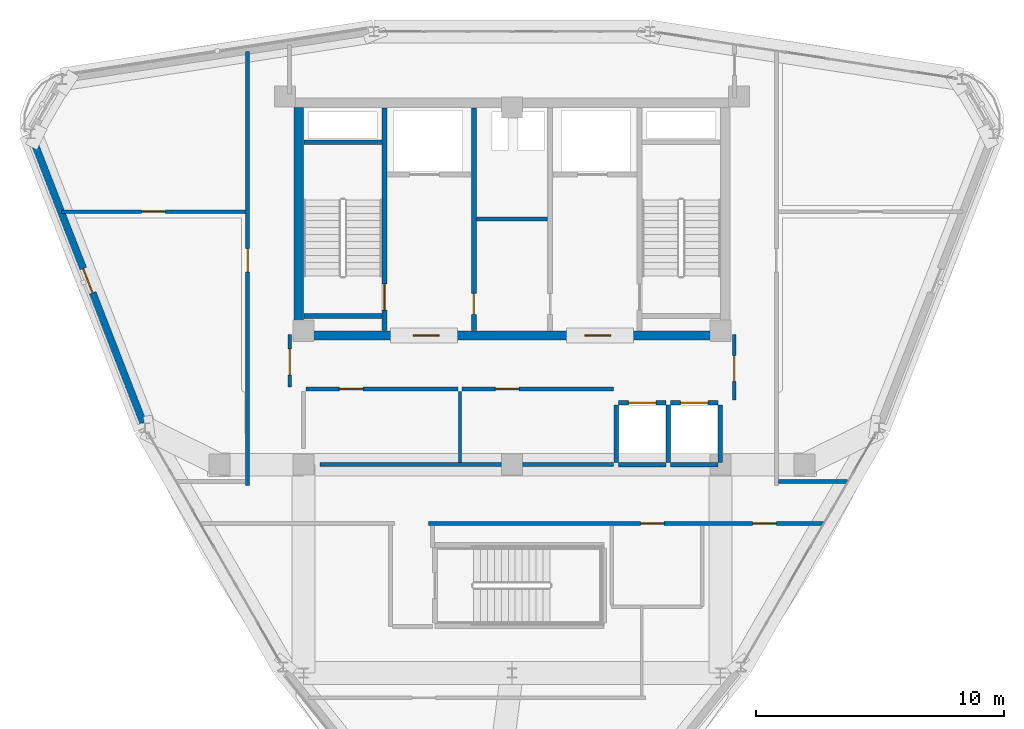
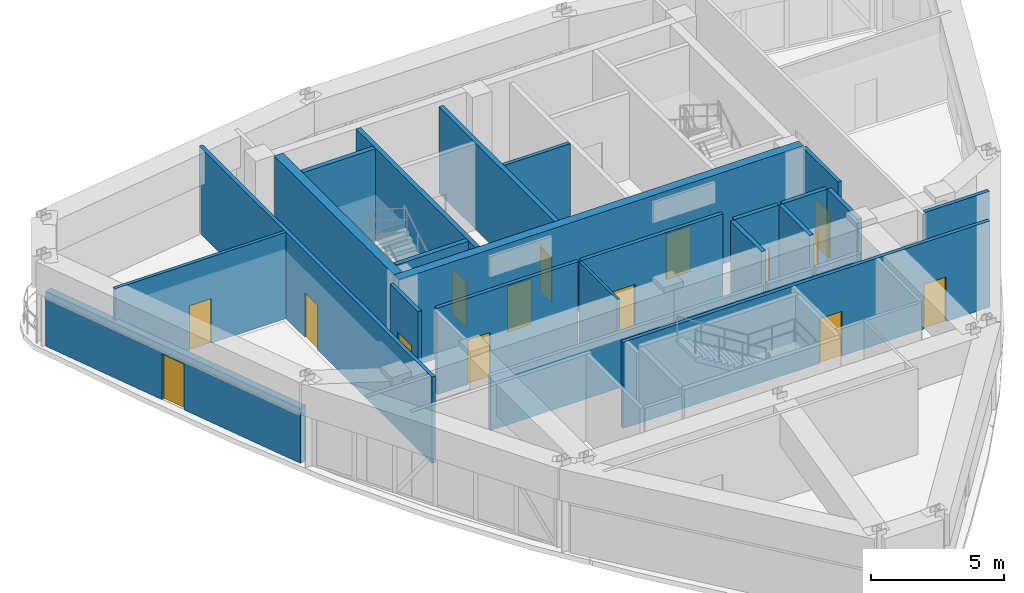
# One storey, part 13 of 17: 25 walls, 15 doors, 15 openings.
"""IFC4 building model written with IfcOpenShell, lengths in metres."""

from ifc_helpers import new_model, si_unit, derived_unit, direction, frame, frame_2d, origin, place, context, subcontext, project, spatial, rectangle, extrude, material, layer, layer_set, type_object, element, fill, save


model = new_model("IFC4")

# Units and contexts
model_context = context("Model", 3, precision=1e-05, world=origin(), true_north=direction((0.0, 1.0)))
body_context = subcontext(model_context, "Body", "Model", "MODEL_VIEW")
ifc_project = project(units=[si_unit("LENGTHUNIT", "METRE"), si_unit("AREAUNIT", "SQUARE_METRE"), si_unit("VOLUMEUNIT", "CUBIC_METRE"), si_unit("PLANEANGLEUNIT", "RADIAN"), si_unit("MASSUNIT", "GRAM", prefix="KILO"), derived_unit("THERMALTRANSMITTANCEUNIT", [(si_unit("POWERUNIT", "WATT"), 1), (si_unit("LENGTHUNIT", "METRE"), -2), (si_unit("THERMODYNAMICTEMPERATUREUNIT", "KELVIN"), -1)])], contexts=[model_context])

# Site, building, storey
site_placement = place(None, origin())
site = spatial("IfcSite", under=ifc_project, at=site_placement, CompositionType="ELEMENT")
building_placement = place(site_placement, origin())
building = spatial("IfcBuilding", under=site, at=building_placement, Name="Korsvarv Bourse and Concert Hall", CompositionType="ELEMENT")
storey_placement = place(building_placement, frame((0.0, 0.0, 279.60009765625)))
storey = spatial("IfcBuildingStorey", under=building, at=storey_placement, Name="L73", CompositionType="ELEMENT", Elevation=279.60009765625)

# Wall, openings, doors
ifc_material_1 = material(Name="Concrete C50/60", Category="concrete")
ifc_layer_1 = layer(ifc_material_1, 0.3798828125)
ifc_layer_set_1 = layer_set([ifc_layer_1], Name="Concrete C50/60")
wall_type_1 = type_object("IfcWallType", Name="WL-CORE-380", PredefinedType="SHEAR", material=ifc_layer_set_1)
wall_1_placement = place(storey_placement, frame((27.219970703125, 37.610107421875, 0.0), z_axis=(0.0, 0.0, 1.0), x_axis=(1.0, 0.0, 0.0)))
wall_1 = element("IfcWall", 1, at=wall_1_placement, inside=storey, type_object=wall_type_1, Name="L73 South Core Shear Wall", PredefinedType="SHEAR", context=body_context, shape_type="SweptSolid", body=[
    extrude(rectangle(XDim=17.56005859375, YDim=0.3798828125, at=frame_2d((8.780029296875, 0.0))), origin(), (0.0, 0.0, 1.0), 4.199951171875),
])
opening_1_placement = place(wall_1_placement, frame((4.804931640625, 0.0, 0.0)))
opening_1 = element("IfcOpeningElement", 2, at=opening_1_placement, cuts=wall_1, Name="Opening D-01", PredefinedType="OPENING", context=body_context, shape_type="SweptSolid", body=[
    extrude(rectangle(XDim=1.050048828125, YDim=2.10009765625, at=frame_2d((0.52490234375, 1.050048828125))), frame((0.0, 0.199951171875, 0.0), z_axis=(0.0, -1.0, 0.0), x_axis=(1.0, 0.0, 0.0)), (0.0, 0.0, 1.0), 0.39990234375),
])
opening_2_placement = place(wall_1_placement, frame((11.705078125, 0.0, 0.0)))
opening_2 = element("IfcOpeningElement", 3, at=opening_2_placement, cuts=wall_1, Name="Opening D-01", PredefinedType="OPENING", context=body_context, shape_type="SweptSolid", body=[
    extrude(rectangle(XDim=1.050048828125, YDim=2.10009765625, at=frame_2d((0.52490234375, 1.050048828125))), frame((0.0, 0.199951171875, 0.0), z_axis=(0.0, -1.0, 0.0), x_axis=(1.0, 0.0, 0.0)), (0.0, 0.0, 1.0), 0.39990234375),
])
ifc_material_2 = material(Name="Steel S355 fire door", Category="steel")
door_type_1 = type_object("IfcDoorType", Name="DR-FD60", OperationType="NOTDEFINED", PredefinedType="DOOR", material=ifc_material_2)
door_1_placement = place(opening_1_placement, frame((1.050048828125, 0.0, 0.0), z_axis=(0.0, 0.0, 1.0), x_axis=(-1.0, 0.0, 0.0)))
door_1 = element("IfcDoor", 4, at=door_1_placement, inside=storey, type_object=door_type_1, Name="L73 firefighting lobby fire door DR-L73-FFLW", OperationType="SINGLE_SWING_LEFT", OverallHeight=2.10009765625, OverallWidth=1.050048828125, PredefinedType="DOOR", context=body_context, shape_type="SweptSolid", body=[
    extrude(rectangle(XDim=1.050048828125, YDim=2.10009765625, at=frame_2d((0.52490234375, 1.050048828125))), frame((0.0, 0.02490234375, 0.0), z_axis=(0.0, -1.0, 0.0), x_axis=(1.0, 0.0, 0.0)), (0.0, 0.0, 1.0), 0.050048828125),
])
fill(opening_1, door_1)
door_2_placement = place(opening_2_placement, frame((1.050048828125, 0.0, 0.0), z_axis=(0.0, 0.0, 1.0), x_axis=(-1.0, 0.0, 0.0)))
door_2 = element("IfcDoor", 5, at=door_2_placement, inside=storey, type_object=door_type_1, Name="L73 firefighting lobby fire door DR-L73-FFLE", OperationType="SINGLE_SWING_RIGHT", OverallHeight=2.10009765625, OverallWidth=1.050048828125, PredefinedType="DOOR", context=body_context, shape_type="SweptSolid", body=[
    extrude(rectangle(XDim=1.050048828125, YDim=2.10009765625, at=frame_2d((0.52490234375, 1.050048828125))), frame((0.0, 0.02490234375, 0.0), z_axis=(0.0, -1.0, 0.0), x_axis=(1.0, 0.0, 0.0)), (0.0, 0.0, 1.0), 0.050048828125),
])
fill(opening_2, door_2)

# Wall
wall_2_placement = place(storey_placement, frame((27.409912109375, 37.800048828125, 0.0), z_axis=(0.0, 0.0, 1.0), x_axis=(0.0, 1.0, 0.0)))
element("IfcWall", 6, at=wall_2_placement, inside=storey, type_object=wall_type_1, Name="L73 West Core Shear Wall", PredefinedType="SHEAR", context=body_context, shape_type="SweptSolid", body=[
    extrude(rectangle(XDim=9.0, YDim=0.3798828125, at=frame_2d((4.5, 0.0))), origin(), (0.0, 0.0, 1.0), 4.199951171875),
])

# Wall, opening, door
wall_3_placement = place(storey_placement, frame((30.860107421875, 37.81005859375, 0.0), z_axis=(0.0, 0.0, 1.0), x_axis=(0.0, 1.0, 0.0)))
wall_3 = element("IfcWall", 7, at=wall_3_placement, inside=storey, type_object=wall_type_1, Name="L73 stair shaft structural wall W-L73-ST1-E", PredefinedType="SHEAR", context=body_context, shape_type="SweptSolid", body=[
    extrude(rectangle(XDim=8.97998046875, YDim=0.199951171875, at=frame_2d((4.489990234375, 0.0))), origin(), (0.0, 0.0, 1.0), 4.199951171875),
])
opening_3_placement = place(wall_3_placement, frame((0.820068359375, 0.0, 0.0)))
opening_3 = element("IfcOpeningElement", 8, at=opening_3_placement, cuts=wall_3, Name="Opening D-01", PredefinedType="OPENING", context=body_context, shape_type="SweptSolid", body=[
    extrude(rectangle(XDim=1.050048828125, YDim=2.10009765625, at=frame_2d((0.52490234375, 1.050048828125))), frame((0.0, 0.10986328125, 0.0), z_axis=(0.0, -1.0, 0.0), x_axis=(1.0, 0.0, 0.0)), (0.0, 0.0, 1.0), 0.219970703125),
])
door_3_placement = place(opening_3_placement, origin())
door_3 = element("IfcDoor", 9, at=door_3_placement, inside=storey, type_object=door_type_1, Name="L73 interior door DR-L73-ST1", OperationType="SINGLE_SWING_RIGHT", OverallHeight=2.10009765625, OverallWidth=1.050048828125, PredefinedType="DOOR", context=body_context, shape_type="SweptSolid", body=[
    extrude(rectangle(XDim=1.050048828125, YDim=2.10009765625, at=frame_2d((0.52490234375, 1.050048828125))), frame((0.0, 0.02490234375, 0.0), z_axis=(0.0, -1.0, 0.0), x_axis=(1.0, 0.0, 0.0)), (0.0, 0.0, 1.0), 0.050048828125),
])
fill(opening_3, door_3)

# Walls
for number, where, z_axis, x_axis, name in (
    (10, (27.610107421875, 45.39990234375, 0.0), (0.0, 0.0, 1.0), (1.0, 0.0, 0.0), "L73 stair shaft structural wall W-L73-ST1-N"),
    (11, (27.610107421875, 38.39990234375, 0.0), (0.0, 0.0, 1.0), (1.0, 0.0, 0.0), "L73 stair shaft structural wall W-L73-ST1-S"),
):
    element("IfcWall", number, at=place(storey_placement, frame(where, z_axis=z_axis, x_axis=x_axis)), inside=storey, type_object=wall_type_1, Name=name, PredefinedType="SHEAR", context=body_context, shape_type="SweptSolid", body=[
        extrude(rectangle(XDim=3.139892578125, YDim=0.199951171875, at=frame_2d((1.56982421875, 0.0))), origin(), (0.0, 0.0, 1.0), 4.199951171875),
    ])

# Wall, opening, door
ifc_material_3 = material(Name="Precast concrete C45/55 with terracotta rainscreen", Category="concrete")
ifc_layer_2 = layer(ifc_material_3, 0.300048828125)
ifc_layer_set_2 = layer_set([ifc_layer_2], Name="Precast concrete C45/55 with terracotta rainscreen")
wall_type_2 = type_object("IfcWallType", Name="WL-EXT-TC1", PredefinedType="SOLIDWALL", material=ifc_layer_set_2)
wall_4_placement = place(storey_placement, frame((16.673583984375, 45.536376953125, 0.0), z_axis=(0.0, 0.0, 1.0), x_axis=(0.362611301042, -0.931940472539, 0.0)))
wall_4 = element("IfcWall", 12, at=wall_4_placement, inside=storey, type_object=wall_type_2, Name="L73 terracotta exterior wall EW-L73-B06", PredefinedType="SOLIDWALL", context=body_context, shape_type="SweptSolid", body=[
    extrude(rectangle(XDim=12.278076171875, YDim=0.300048828125, at=frame_2d((6.13916015625, 0.0))), origin(), (0.0, 0.0, 1.0), 2.52001953125),
])
opening_4_placement = place(wall_4_placement, frame((5.614013671875, 0.0, 0.0)))
opening_4 = element("IfcOpeningElement", 13, at=opening_4_placement, cuts=wall_4, Name="Opening ED-02", PredefinedType="OPENING", context=body_context, shape_type="SweptSolid", body=[
    extrude(rectangle(XDim=1.050048828125, YDim=2.10009765625, at=frame_2d((0.52490234375, 1.050048828125))), frame((0.0, 0.16015625, 0.0), z_axis=(0.0, -1.0, 0.0), x_axis=(1.0, 0.0, 0.0)), (0.0, 0.0, 1.0), 0.320068359375),
])
ifc_material_4 = material(Name="Thermally broken anodised aluminium and laminated safety glass", Category="aluminium")
door_type_2 = type_object("IfcDoorType", Name="DR-EXT-TERR", OperationType="NOTDEFINED", PredefinedType="DOOR", material=ifc_material_4)
door_4_placement = place(opening_4_placement, frame((1.050048828125, 0.0, 0.0), z_axis=(0.0, 0.0, 1.0), x_axis=(-1.0, 0.0, 0.0)))
door_4 = element("IfcDoor", 14, at=door_4_placement, inside=storey, type_object=door_type_2, Name="L73 Sky Garden Terrace Access Door", OperationType="SINGLE_SWING_LEFT", OverallHeight=2.10009765625, OverallWidth=1.050048828125, PredefinedType="DOOR", context=body_context, shape_type="SweptSolid", body=[
    extrude(rectangle(XDim=1.050048828125, YDim=2.10009765625, at=frame_2d((0.52490234375, 1.050048828125))), frame((0.0, 0.02490234375, 0.0), z_axis=(0.0, -1.0, 0.0), x_axis=(1.0, 0.0, 0.0)), (0.0, 0.0, 1.0), 0.050048828125),
])
fill(opening_4, door_4)

ifc_material_5 = material(Name="Reinforced concrete blockwork C35/45 fire wall", Category="concrete")
ifc_layer_3 = layer(ifc_material_5, 0.199951171875)
ifc_layer_set_3 = layer_set([ifc_layer_3], Name="Reinforced concrete blockwork C35/45 fire wall")
wall_type_3 = type_object("IfcWallType", Name="WL-INT-EI120", PredefinedType="PARTITIONING", material=ifc_layer_set_3)
wall_5_placement = place(storey_placement, frame((34.4599609375, 37.81005859375, 0.0), z_axis=(0.0, 0.0, 1.0), x_axis=(0.0, 1.0, 0.0)))
wall_5 = element("IfcWall", 15, at=wall_5_placement, inside=storey, type_object=wall_type_3, Name="L73 interior partition wall W-L73-CSB-W", PredefinedType="PARTITIONING", context=body_context, shape_type="SweptSolid", body=[
    extrude(rectangle(XDim=8.97998046875, YDim=0.199951171875, at=frame_2d((4.489990234375, 0.0))), origin(), (0.0, 0.0, 1.0), 3.9599609375),
])
opening_5_placement = place(wall_5_placement, frame((0.64990234375, 0.0, 0.0)))
opening_5 = element("IfcOpeningElement", 16, at=opening_5_placement, cuts=wall_5, Name="Opening D-05", PredefinedType="OPENING", context=body_context, shape_type="SweptSolid", body=[
    extrude(rectangle(XDim=0.85009765625, YDim=2.050048828125, at=frame_2d((0.425048828125, 1.02490234375))), frame((0.0, 0.10986328125, 0.0), z_axis=(0.0, -1.0, 0.0), x_axis=(1.0, 0.0, 0.0)), (0.0, 0.0, 1.0), 0.219970703125),
])
door_type_3 = type_object("IfcDoorType", Name="DR-FD60-850X2050", OperationType="NOTDEFINED", PredefinedType="DOOR", material=ifc_material_2)
door_5_placement = place(opening_5_placement, frame((0.85009765625, 0.0, 0.0), z_axis=(0.0, 0.0, 1.0), x_axis=(-1.0, 0.0, 0.0)))
door_5 = element("IfcDoor", 17, at=door_5_placement, inside=storey, type_object=door_type_3, Name="L73 interior door DR-L73-CSB1", OperationType="SINGLE_SWING_RIGHT", OverallHeight=2.050048828125, OverallWidth=0.85009765625, PredefinedType="DOOR", context=body_context, shape_type="SweptSolid", body=[
    extrude(rectangle(XDim=0.85009765625, YDim=2.050048828125, at=frame_2d((0.425048828125, 1.02490234375))), frame((0.0, 0.02490234375, 0.0), z_axis=(0.0, -1.0, 0.0), x_axis=(1.0, 0.0, 0.0)), (0.0, 0.0, 1.0), 0.050048828125),
])
fill(opening_5, door_5)

# Walls
ifc_material_6 = material(Name="Double-stud fire-rated acoustic partition", Category="gypsum")
ifc_layer_4 = layer(ifc_material_6, 0.159912109375)
ifc_layer_set_4 = layer_set([ifc_layer_4], Name="Double-stud fire-rated acoustic partition")
wall_type_4 = type_object("IfcWallType", Name="WL-INT-EI60", PredefinedType="PARTITIONING", material=ifc_layer_set_4)
wall_6_placement = place(storey_placement, frame((34.570068359375, 42.300048828125, 0.0), z_axis=(0.0, 0.0, 1.0), x_axis=(1.0, 0.0, 0.0)))
element("IfcWall", 18, at=wall_6_placement, inside=storey, type_object=wall_type_4, Name="L73 interior partition wall W-L73-K1", PredefinedType="PARTITIONING", context=body_context, shape_type="SweptSolid", body=[
    extrude(rectangle(XDim=2.85986328125, YDim=0.159912109375, at=frame_2d((1.429931640625, 0.0))), origin(), (0.0, 0.0, 1.0), 3.9599609375),
])
wall_7_placement = place(storey_placement, frame((28.25, 32.39990234375, 0.0), z_axis=(0.0, 0.0, 1.0), x_axis=(1.0, 0.0, 0.0)))
element("IfcWall", 19, at=wall_7_placement, inside=storey, type_object=wall_type_4, Name="L73 interior partition wall W-L73-FRD-S", PredefinedType="PARTITIONING", context=body_context, shape_type="SweptSolid", body=[
    extrude(rectangle(XDim=11.85009765625, YDim=0.159912109375, at=frame_2d((5.925048828125, 0.0))), origin(), (0.0, 0.0, 1.0), 2.52001953125),
])

# Wall, opening, door
wall_8_placement = place(storey_placement, frame((27.68994140625, 35.449951171875, 0.0), z_axis=(0.0, 0.0, 1.0), x_axis=(1.0, 0.0, 0.0)))
wall_8 = element("IfcWall", 20, at=wall_8_placement, inside=storey, type_object=wall_type_4, Name="L73 interior partition wall W-L73-FRD-N1", PredefinedType="PARTITIONING", context=body_context, shape_type="SweptSolid", body=[
    extrude(rectangle(XDim=6.130126953125, YDim=0.159912109375, at=frame_2d((3.06494140625, 0.0))), origin(), (0.0, 0.0, 1.0), 3.9599609375),
])
opening_6_placement = place(wall_8_placement, frame((1.35009765625, 0.0, 0.0)))
opening_6 = element("IfcOpeningElement", 21, at=opening_6_placement, cuts=wall_8, Name="Opening D-03", PredefinedType="OPENING", context=body_context, shape_type="SweptSolid", body=[
    extrude(rectangle(XDim=0.949951171875, YDim=2.050048828125, at=frame_2d((0.47509765625, 1.02490234375))), frame((0.0, 0.08984375, 0.0), z_axis=(0.0, -1.0, 0.0), x_axis=(1.0, 0.0, 0.0)), (0.0, 0.0, 1.0), 0.179931640625),
])
ifc_material_7 = material(Name="Nordic oak acoustic office door", Category="wood")
door_type_4 = type_object("IfcDoorType", Name="DR-INT-1", OperationType="NOTDEFINED", PredefinedType="DOOR", material=ifc_material_7)
door_6_placement = place(opening_6_placement, origin())
door_6 = element("IfcDoor", 22, at=door_6_placement, inside=storey, type_object=door_type_4, Name="L73 interior door DR-L73-FRDN1", OperationType="SINGLE_SWING_RIGHT", OverallHeight=2.050048828125, OverallWidth=0.949951171875, PredefinedType="DOOR", context=body_context, shape_type="SweptSolid", body=[
    extrude(rectangle(XDim=0.949951171875, YDim=2.050048828125, at=frame_2d((0.47509765625, 1.02490234375))), frame((0.0, 0.02490234375, 0.0), z_axis=(0.0, -1.0, 0.0), x_axis=(1.0, 0.0, 0.0)), (0.0, 0.0, 1.0), 0.050048828125),
])
fill(opening_6, door_6)

wall_9_placement = place(storey_placement, frame((33.97998046875, 35.449951171875, 0.0), z_axis=(0.0, 0.0, 1.0), x_axis=(1.0, 0.0, 0.0)))
wall_9 = element("IfcWall", 23, at=wall_9_placement, inside=storey, type_object=wall_type_4, Name="L73 interior partition wall W-L73-FRD-N2", PredefinedType="PARTITIONING", context=body_context, shape_type="SweptSolid", body=[
    extrude(rectangle(XDim=6.1201171875, YDim=0.159912109375, at=frame_2d((3.06005859375, 0.0))), origin(), (0.0, 0.0, 1.0), 3.9599609375),
])
opening_7_placement = place(wall_9_placement, frame((1.35009765625, 0.0, 0.0)))
opening_7 = element("IfcOpeningElement", 24, at=opening_7_placement, cuts=wall_9, Name="Opening D-03", PredefinedType="OPENING", context=body_context, shape_type="SweptSolid", body=[
    extrude(rectangle(XDim=0.949951171875, YDim=2.050048828125, at=frame_2d((0.47509765625, 1.02490234375))), frame((0.0, 0.08984375, 0.0), z_axis=(0.0, -1.0, 0.0), x_axis=(1.0, 0.0, 0.0)), (0.0, 0.0, 1.0), 0.179931640625),
])
door_7_placement = place(opening_7_placement, origin())
door_7 = element("IfcDoor", 25, at=door_7_placement, inside=storey, type_object=door_type_4, Name="L73 interior door DR-L73-FRDN2", OperationType="SINGLE_SWING_LEFT", OverallHeight=2.050048828125, OverallWidth=0.949951171875, PredefinedType="DOOR", context=body_context, shape_type="SweptSolid", body=[
    extrude(rectangle(XDim=0.949951171875, YDim=2.050048828125, at=frame_2d((0.47509765625, 1.02490234375))), frame((0.0, 0.02490234375, 0.0), z_axis=(0.0, -1.0, 0.0), x_axis=(1.0, 0.0, 0.0)), (0.0, 0.0, 1.0), 0.050048828125),
])
fill(opening_7, door_7)

wall_10_placement = place(storey_placement, frame((27.0400390625, 35.5400390625, 0.0), z_axis=(0.0, 0.0, 1.0), x_axis=(0.0, 1.0, 0.0)))
wall_10 = element("IfcWall", 26, at=wall_10_placement, inside=storey, type_object=wall_type_4, Name="L73 interior partition wall W-L73-LOB-WL", PredefinedType="PARTITIONING", context=body_context, shape_type="SweptSolid", body=[
    extrude(rectangle(XDim=2.10986328125, YDim=0.159912109375, at=frame_2d((1.054931640625, 0.0))), origin(), (0.0, 0.0, 1.0), 3.9599609375),
])
opening_8_placement = place(wall_10_placement, frame((0.47998046875, 0.0, 0.0)))
opening_8 = element("IfcOpeningElement", 27, at=opening_8_placement, cuts=wall_10, Name="Opening D-01", PredefinedType="OPENING", context=body_context, shape_type="SweptSolid", body=[
    extrude(rectangle(XDim=1.050048828125, YDim=2.10009765625, at=frame_2d((0.52490234375, 1.050048828125))), frame((0.0, 0.08984375, 0.0), z_axis=(0.0, -1.0, 0.0), x_axis=(1.0, 0.0, 0.0)), (0.0, 0.0, 1.0), 0.179931640625),
])
door_8_placement = place(opening_8_placement, frame((1.050048828125, 0.0, 0.0), z_axis=(0.0, 0.0, 1.0), x_axis=(-1.0, 0.0, 0.0)))
door_8 = element("IfcDoor", 28, at=door_8_placement, inside=storey, type_object=door_type_1, Name="L73 interior door DR-L73-LOBW", OperationType="SINGLE_SWING_RIGHT", OverallHeight=2.10009765625, OverallWidth=1.050048828125, PredefinedType="DOOR", context=body_context, shape_type="SweptSolid", body=[
    extrude(rectangle(XDim=1.050048828125, YDim=2.10009765625, at=frame_2d((0.52490234375, 1.050048828125))), frame((0.0, 0.02490234375, 0.0), z_axis=(0.0, -1.0, 0.0), x_axis=(1.0, 0.0, 0.0)), (0.0, 0.0, 1.0), 0.050048828125),
])
fill(opening_8, door_8)

wall_11_placement = place(storey_placement, frame((44.9599609375, 35.0, 0.0), z_axis=(0.0, 0.0, 1.0), x_axis=(0.0, 1.0, 0.0)))
wall_11 = element("IfcWall", 29, at=wall_11_placement, inside=storey, type_object=wall_type_4, Name="L73 interior partition wall W-L73-LOB-E", PredefinedType="PARTITIONING", context=body_context, shape_type="SweptSolid", body=[
    extrude(rectangle(XDim=2.64990234375, YDim=0.159912109375, at=frame_2d((1.324951171875, 0.0))), origin(), (0.0, 0.0, 1.0), 3.9599609375),
])
opening_9_placement = place(wall_11_placement, frame((0.75, 0.0, 0.0)))
opening_9 = element("IfcOpeningElement", 30, at=opening_9_placement, cuts=wall_11, Name="Opening D-01", PredefinedType="OPENING", context=body_context, shape_type="SweptSolid", body=[
    extrude(rectangle(XDim=1.050048828125, YDim=2.10009765625, at=frame_2d((0.52490234375, 1.050048828125))), frame((0.0, 0.08984375, 0.0), z_axis=(0.0, -1.0, 0.0), x_axis=(1.0, 0.0, 0.0)), (0.0, 0.0, 1.0), 0.179931640625),
])
door_9_placement = place(opening_9_placement, origin())
door_9 = element("IfcDoor", 31, at=door_9_placement, inside=storey, type_object=door_type_1, Name="L73 interior door DR-L73-LOBE", OperationType="SINGLE_SWING_LEFT", OverallHeight=2.10009765625, OverallWidth=1.050048828125, PredefinedType="DOOR", context=body_context, shape_type="SweptSolid", body=[
    extrude(rectangle(XDim=1.050048828125, YDim=2.10009765625, at=frame_2d((0.52490234375, 1.050048828125))), frame((0.0, 0.02490234375, 0.0), z_axis=(0.0, -1.0, 0.0), x_axis=(1.0, 0.0, 0.0)), (0.0, 0.0, 1.0), 0.050048828125),
])
fill(opening_9, door_9)

wall_12_placement = place(storey_placement, frame((25.344970703125, 31.56005859375, 0.0), z_axis=(0.0, 0.0, 1.0), x_axis=(0.0, 1.0, 0.0)))
wall_12 = element("IfcWall", 32, at=wall_12_placement, inside=storey, type_object=wall_type_4, Name="L73 interior partition wall W-L73-LKCOR-02", PredefinedType="PARTITIONING", context=body_context, shape_type="SweptSolid", body=[
    extrude(rectangle(XDim=17.506103515625, YDim=0.159912109375, at=frame_2d((8.7529296875, 0.0))), origin(), (0.0, 0.0, 1.0), 3.9599609375),
])
opening_10_placement = place(wall_12_placement, frame((8.605224609375, 0.0, 0.0)))
opening_10 = element("IfcOpeningElement", 33, at=opening_10_placement, cuts=wall_12, Name="Opening D-02", PredefinedType="OPENING", context=body_context, shape_type="SweptSolid", body=[
    extrude(rectangle(XDim=0.949951171875, YDim=2.050048828125, at=frame_2d((0.47509765625, 1.02490234375))), frame((0.0, 0.08984375, 0.0), z_axis=(0.0, -1.0, 0.0), x_axis=(1.0, 0.0, 0.0)), (0.0, 0.0, 1.0), 0.179931640625),
])
ifc_material_8 = material(Name="Timber and steel acoustic fire door", Category="wood")
door_type_5 = type_object("IfcDoorType", Name="DR-FD30", OperationType="NOTDEFINED", PredefinedType="DOOR", material=ifc_material_8)
door_10_placement = place(opening_10_placement, origin())
door_10 = element("IfcDoor", 34, at=door_10_placement, inside=storey, type_object=door_type_5, Name="L73 interior door DR-L73-LKCOR-BS36", OperationType="SINGLE_SWING_RIGHT", OverallHeight=2.050048828125, OverallWidth=0.949951171875, PredefinedType="DOOR", context=body_context, shape_type="SweptSolid", body=[
    extrude(rectangle(XDim=0.949951171875, YDim=2.050048828125, at=frame_2d((0.47509765625, 1.02490234375))), frame((0.0, 0.02490234375, 0.0), z_axis=(0.0, -1.0, 0.0), x_axis=(1.0, 0.0, 0.0)), (0.0, 0.0, 1.0), 0.050048828125),
])
fill(opening_10, door_10)

# Wall, openings, doors
wall_13_placement = place(storey_placement, frame((32.639892578125, 30.02490234375, 0.0), z_axis=(0.0, 0.0, 1.0), x_axis=(1.0, 0.0, 0.0)))
wall_13 = element("IfcWall", 35, at=wall_13_placement, inside=storey, type_object=wall_type_4, Name="L73 interior partition wall W-L73-LKCOR-03", PredefinedType="PARTITIONING", context=body_context, shape_type="SweptSolid", body=[
    extrude(rectangle(XDim=15.9208984375, YDim=0.159912109375, at=frame_2d((7.96044921875, 0.0))), origin(), (0.0, 0.0, 1.0), 3.9599609375),
])
opening_11_placement = place(wall_13_placement, frame((8.5458984375, 0.0, 0.0)))
opening_11 = element("IfcOpeningElement", 36, at=opening_11_placement, cuts=wall_13, Name="Opening D-02", PredefinedType="OPENING", context=body_context, shape_type="SweptSolid", body=[
    extrude(rectangle(XDim=0.949951171875, YDim=2.050048828125, at=frame_2d((0.47509765625, 1.02490234375))), frame((0.0, 0.08984375, 0.0), z_axis=(0.0, -1.0, 0.0), x_axis=(1.0, 0.0, 0.0)), (0.0, 0.0, 1.0), 0.179931640625),
])
opening_12_placement = place(wall_13_placement, frame((13.063720703125, 0.0, 0.0)))
opening_12 = element("IfcOpeningElement", 37, at=opening_12_placement, cuts=wall_13, Name="Opening D-02", PredefinedType="OPENING", context=body_context, shape_type="SweptSolid", body=[
    extrude(rectangle(XDim=0.949951171875, YDim=2.050048828125, at=frame_2d((0.47509765625, 1.02490234375))), frame((0.0, 0.08984375, 0.0), z_axis=(0.0, -1.0, 0.0), x_axis=(1.0, 0.0, 0.0)), (0.0, 0.0, 1.0), 0.179931640625),
])
door_11_placement = place(opening_11_placement, origin())
door_11 = element("IfcDoor", 38, at=door_11_placement, inside=storey, type_object=door_type_5, Name="L73 interior door DR-L73-LKCOR-RWC", OperationType="SINGLE_SWING_LEFT", OverallHeight=2.050048828125, OverallWidth=0.949951171875, PredefinedType="DOOR", context=body_context, shape_type="SweptSolid", body=[
    extrude(rectangle(XDim=0.949951171875, YDim=2.050048828125, at=frame_2d((0.47509765625, 1.02490234375))), frame((0.0, 0.02490234375, 0.0), z_axis=(0.0, -1.0, 0.0), x_axis=(1.0, 0.0, 0.0)), (0.0, 0.0, 1.0), 0.050048828125),
])
fill(opening_11, door_11)
door_12_placement = place(opening_12_placement, origin())
door_12 = element("IfcDoor", 39, at=door_12_placement, inside=storey, type_object=door_type_5, Name="L73 interior door DR-L73-LKCOR-BS13", OperationType="SINGLE_SWING_RIGHT", OverallHeight=2.050048828125, OverallWidth=0.949951171875, PredefinedType="DOOR", context=body_context, shape_type="SweptSolid", body=[
    extrude(rectangle(XDim=0.949951171875, YDim=2.050048828125, at=frame_2d((0.47509765625, 1.02490234375))), frame((0.0, 0.02490234375, 0.0), z_axis=(0.0, -1.0, 0.0), x_axis=(1.0, 0.0, 0.0)), (0.0, 0.0, 1.0), 0.050048828125),
])
fill(opening_12, door_12)

# Wall
wall_14_placement = place(storey_placement, frame((46.737060546875, 31.715087890625, 0.0), z_axis=(0.0, 0.0, 1.0), x_axis=(1.0, 0.0, 0.0)))
element("IfcWall", 40, at=wall_14_placement, inside=storey, type_object=wall_type_4, Name="L73 interior partition wall W-L73-LKCOR-07", PredefinedType="PARTITIONING", context=body_context, shape_type="SweptSolid", body=[
    extrude(rectangle(XDim=2.7822265625, YDim=0.159912109375, at=frame_2d((1.39111328125, 0.0))), origin(), (0.0, 0.0, 1.0), 3.9599609375),
])

# Wall, opening, door
ifc_material_9 = material(Name="Gypsum-clad autoclaved concrete shaft wall C30/37", Category="concrete")
ifc_layer_5 = layer(ifc_material_9, 0.179931640625)
ifc_layer_set_5 = layer_set([ifc_layer_5], Name="Gypsum-clad autoclaved concrete shaft wall C30/37")
wall_type_5 = type_object("IfcWallType", Name="WL-INT-EI90", PredefinedType="PARTITIONING", material=ifc_layer_set_5)
wall_15_placement = place(storey_placement, frame((40.2900390625, 34.89990234375, 0.0), z_axis=(0.0, 0.0, 1.0), x_axis=(1.0, 0.0, 0.0)))
wall_15 = element("IfcWall", 41, at=wall_15_placement, inside=storey, type_object=wall_type_5, Name="L73 interior partition wall W-L73-SHFN-PO1", PredefinedType="PARTITIONING", context=body_context, shape_type="SweptSolid", body=[
    extrude(rectangle(XDim=1.919921875, YDim=0.179931640625, at=frame_2d((0.9599609375, 0.0))), origin(), (0.0, 0.0, 1.0), 3.9599609375),
])
opening_13_placement = place(wall_15_placement, frame((0.409912109375, 0.0, 0.0)))
opening_13 = element("IfcOpeningElement", 42, at=opening_13_placement, cuts=wall_15, Name="Opening LD-2", PredefinedType="OPENING", context=body_context, shape_type="SweptSolid", body=[
    extrude(rectangle(XDim=1.10009765625, YDim=2.10009765625, at=frame_2d((0.550048828125, 1.050048828125))), frame((0.0, 0.10009765625, 0.0), z_axis=(0.0, -1.0, 0.0), x_axis=(1.0, 0.0, 0.0)), (0.0, 0.0, 1.0), 0.199951171875),
])
ifc_material_10 = material(Name="Brushed stainless Steel S355 lift landing door", Category="steel")
door_type_6 = type_object("IfcDoorType", Name="DR-LIFT-P", OperationType="DOUBLE_DOOR_SLIDING", PredefinedType="DOOR", material=ifc_material_10)
door_13_placement = place(opening_13_placement, origin())
door_13 = element("IfcDoor", 43, at=door_13_placement, inside=storey, type_object=door_type_6, Name="L73 lift sliding landing door LD-L73-PO1", OperationType="DOUBLE_DOOR_SLIDING", OverallHeight=2.10009765625, OverallWidth=1.10009765625, PredefinedType="DOOR", context=body_context, shape_type="SweptSolid", body=[
    extrude(rectangle(XDim=1.10009765625, YDim=2.10009765625, at=frame_2d((0.550048828125, 1.050048828125))), frame((0.0, 0.02490234375, 0.0), z_axis=(0.0, -1.0, 0.0), x_axis=(1.0, 0.0, 0.0)), (0.0, 0.0, 1.0), 0.050048828125),
])
fill(opening_13, door_13)

# Walls
wall_16_placement = place(storey_placement, frame((40.2900390625, 32.39990234375, 0.0), z_axis=(0.0, 0.0, 1.0), x_axis=(1.0, 0.0, 0.0)))
element("IfcWall", 44, at=wall_16_placement, inside=storey, type_object=wall_type_5, Name="L73 interior partition wall W-L73-SHFS-PO1", PredefinedType="PARTITIONING", context=body_context, shape_type="SweptSolid", body=[
    extrude(rectangle(XDim=1.919921875, YDim=0.179931640625, at=frame_2d((0.9599609375, 0.0))), origin(), (0.0, 0.0, 1.0), 2.52001953125),
])
wall_17_placement = place(storey_placement, frame((40.199951171875, 32.489990234375, 0.0), z_axis=(0.0, 0.0, 1.0), x_axis=(0.0, 1.0, 0.0)))
element("IfcWall", 45, at=wall_17_placement, inside=storey, type_object=wall_type_5, Name="L73 interior partition wall W-L73-SHFW-PO1", PredefinedType="PARTITIONING", context=body_context, shape_type="SweptSolid", body=[
    extrude(rectangle(XDim=2.320068359375, YDim=0.179931640625, at=frame_2d((1.16015625, 0.0))), origin(), (0.0, 0.0, 1.0), 3.9599609375),
])

# Wall, opening, door
wall_18_placement = place(storey_placement, frame((42.389892578125, 34.89990234375, 0.0), z_axis=(0.0, 0.0, 1.0), x_axis=(1.0, 0.0, 0.0)))
wall_18 = element("IfcWall", 46, at=wall_18_placement, inside=storey, type_object=wall_type_5, Name="L73 interior partition wall W-L73-SHFN-PO2", PredefinedType="PARTITIONING", context=body_context, shape_type="SweptSolid", body=[
    extrude(rectangle(XDim=1.920166015625, YDim=0.179931640625, at=frame_2d((0.9599609375, 0.0))), origin(), (0.0, 0.0, 1.0), 3.9599609375),
])
opening_14_placement = place(wall_18_placement, frame((0.409912109375, 0.0, 0.0)))
opening_14 = element("IfcOpeningElement", 47, at=opening_14_placement, cuts=wall_18, Name="Opening LD-2", PredefinedType="OPENING", context=body_context, shape_type="SweptSolid", body=[
    extrude(rectangle(XDim=1.10009765625, YDim=2.10009765625, at=frame_2d((0.550048828125, 1.050048828125))), frame((0.0, 0.10009765625, 0.0), z_axis=(0.0, -1.0, 0.0), x_axis=(1.0, 0.0, 0.0)), (0.0, 0.0, 1.0), 0.199951171875),
])
door_14_placement = place(opening_14_placement, origin())
door_14 = element("IfcDoor", 48, at=door_14_placement, inside=storey, type_object=door_type_6, Name="L73 lift sliding landing door LD-L73-PO2", OperationType="DOUBLE_DOOR_SLIDING", OverallHeight=2.10009765625, OverallWidth=1.10009765625, PredefinedType="DOOR", context=body_context, shape_type="SweptSolid", body=[
    extrude(rectangle(XDim=1.10009765625, YDim=2.10009765625, at=frame_2d((0.550048828125, 1.050048828125))), frame((0.0, 0.02490234375, 0.0), z_axis=(0.0, -1.0, 0.0), x_axis=(1.0, 0.0, 0.0)), (0.0, 0.0, 1.0), 0.050048828125),
])
fill(opening_14, door_14)

# Walls
wall_19_placement = place(storey_placement, frame((42.389892578125, 32.39990234375, 0.0), z_axis=(0.0, 0.0, 1.0), x_axis=(1.0, 0.0, 0.0)))
element("IfcWall", 49, at=wall_19_placement, inside=storey, type_object=wall_type_5, Name="L73 interior partition wall W-L73-SHFS-PO2", PredefinedType="PARTITIONING", context=body_context, shape_type="SweptSolid", body=[
    extrude(rectangle(XDim=1.920166015625, YDim=0.179931640625, at=frame_2d((0.9599609375, 0.0))), origin(), (0.0, 0.0, 1.0), 2.52001953125),
])
for number, where, z_axis, x_axis, name in (
    (50, (42.300048828125, 32.489990234375, 0.0), (0.0, 0.0, 1.0), (0.0, 1.0, 0.0), "L73 interior partition wall W-L73-SHFW-PO2"),
    (51, (44.39990234375, 32.489990234375, 0.0), (0.0, 0.0, 1.0), (0.0, 1.0, 0.0), "L73 interior partition wall W-L73-SHFE-END"),
):
    element("IfcWall", number, at=place(storey_placement, frame(where, z_axis=z_axis, x_axis=x_axis)), inside=storey, type_object=wall_type_5, Name=name, PredefinedType="PARTITIONING", context=body_context, shape_type="SweptSolid", body=[
        extrude(rectangle(XDim=2.320068359375, YDim=0.179931640625, at=frame_2d((1.16015625, 0.0))), origin(), (0.0, 0.0, 1.0), 3.9599609375),
    ])
ifc_material_11 = material(Name="Demountable acoustic glass and aluminium dealing partition", Category="aluminium")
ifc_layer_6 = layer(ifc_material_11, 0.110107421875)
ifc_layer_set_6 = layer_set([ifc_layer_6], Name="Demountable acoustic glass and aluminium dealing partition")
wall_type_6 = type_object("IfcWallType", Name="WL-INT-MOV", PredefinedType="MOVABLE", material=ifc_layer_set_6)
wall_20_placement = place(storey_placement, frame((33.89990234375, 32.489990234375, 0.0), z_axis=(0.0, 0.0, 1.0), x_axis=(0.0, 1.0, 0.0)))
element("IfcWall", 52, at=wall_20_placement, inside=storey, type_object=wall_type_6, Name="L73 interior partition wall W-L73-FRD-V", PredefinedType="MOVABLE", context=body_context, shape_type="SweptSolid", body=[
    extrude(rectangle(XDim=2.8701171875, YDim=0.110107421875, at=frame_2d((1.43505859375, 0.0))), origin(), (0.0, 0.0, 1.0), 3.9599609375),
])

# Wall, opening, door
ifc_material_12 = material(Name="Insulated steel-stud office acoustic partition", Category="gypsum")
ifc_layer_7 = layer(ifc_material_12, 0.139892578125)
ifc_layer_set_7 = layer_set([ifc_layer_7], Name="Insulated steel-stud office acoustic partition")
wall_type_7 = type_object("IfcWallType", Name="WL-INT-P1", PredefinedType="PARTITIONING", material=ifc_layer_set_7)
wall_21_placement = place(storey_placement, frame((17.833984375, 42.60498046875, 0.0), z_axis=(0.0, 0.0, 1.0), x_axis=(1.0, 0.0, 0.0)))
wall_21 = element("IfcWall", 53, at=wall_21_placement, inside=storey, type_object=wall_type_7, Name="L73 interior partition wall W-L73-LKCOR-13", PredefinedType="PARTITIONING", context=body_context, shape_type="SweptSolid", body=[
    extrude(rectangle(XDim=7.428955078125, YDim=0.139892578125, at=frame_2d((3.71435546875, 0.0))), origin(), (0.0, 0.0, 1.0), 3.9599609375),
])
opening_15_placement = place(wall_21_placement, frame((3.239501953125, 0.0, 0.0)))
opening_15 = element("IfcOpeningElement", 54, at=opening_15_placement, cuts=wall_21, Name="Opening D-03", PredefinedType="OPENING", context=body_context, shape_type="SweptSolid", body=[
    extrude(rectangle(XDim=0.949951171875, YDim=2.050048828125, at=frame_2d((0.47509765625, 1.02490234375))), frame((0.0, 0.080078125, 0.0), z_axis=(0.0, -1.0, 0.0), x_axis=(1.0, 0.0, 0.0)), (0.0, 0.0, 1.0), 0.159912109375),
])
door_15_placement = place(opening_15_placement, origin())
door_15 = element("IfcDoor", 55, at=door_15_placement, inside=storey, type_object=door_type_4, Name="L73 interior door DR-L73-LKCOR-BS57", OperationType="SINGLE_SWING_LEFT", OverallHeight=2.050048828125, OverallWidth=0.949951171875, PredefinedType="DOOR", context=body_context, shape_type="SweptSolid", body=[
    extrude(rectangle(XDim=0.949951171875, YDim=2.050048828125, at=frame_2d((0.47509765625, 1.02490234375))), frame((0.0, 0.02490234375, 0.0), z_axis=(0.0, -1.0, 0.0), x_axis=(1.0, 0.0, 0.0)), (0.0, 0.0, 1.0), 0.050048828125),
])
fill(opening_15, door_15)

save(model, "model.ifc")
